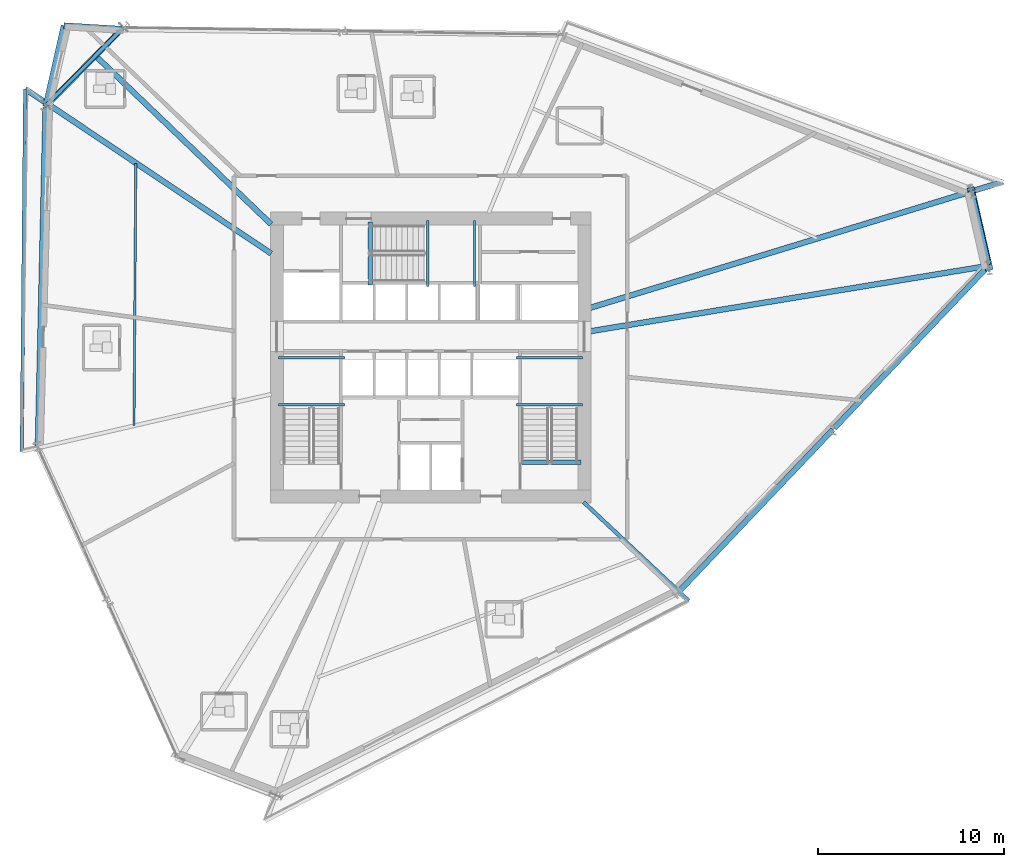
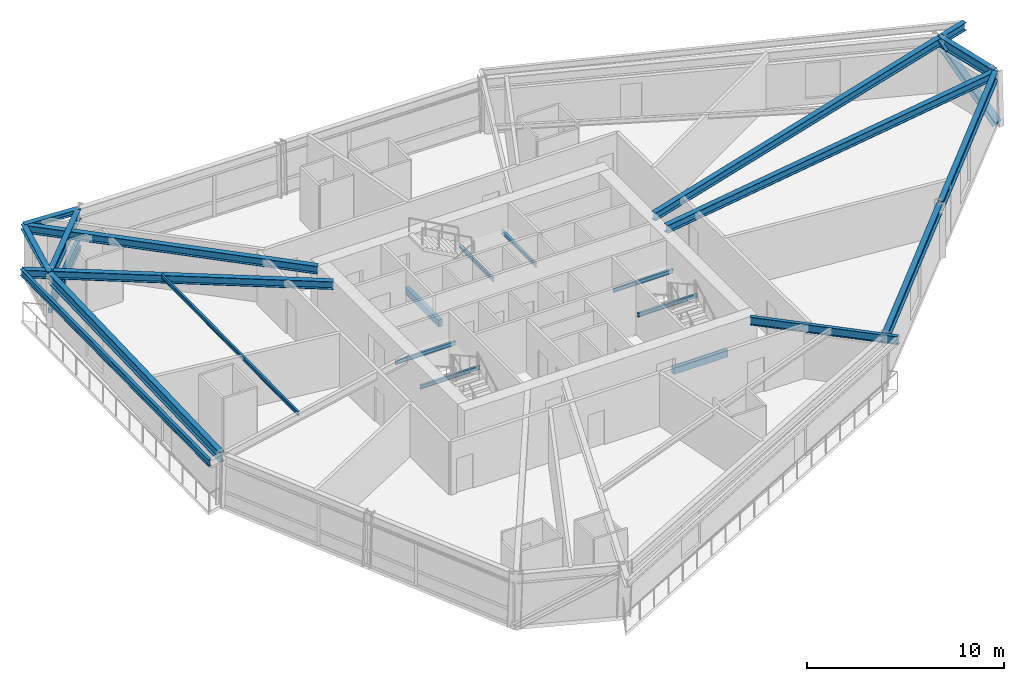
# One storey, part 5 of 22: 22 beams, 3 members.
"""IFC4 building model written with IfcOpenShell, lengths in metres."""

from ifc_helpers import new_model, si_unit, direction, frame, origin, origin_2d, place, context, subcontext, project, spatial, rectangle, hollow_rectangle, i_section, extrude, source, transform, mapped, material, material_profile, profile_set, type_object, element, save


model = new_model("IFC4")

# Units and contexts
model_context = context("Model", 3, precision=1e-05, world=origin(), true_north=direction((0.0, 1.0)))
body_context = subcontext(model_context, "Body", "Model", "MODEL_VIEW")
ifc_project = project(units=[si_unit("LENGTHUNIT", "METRE"), si_unit("AREAUNIT", "SQUARE_METRE"), si_unit("VOLUMEUNIT", "CUBIC_METRE"), si_unit("PLANEANGLEUNIT", "RADIAN"), si_unit("MASSUNIT", "GRAM", prefix="KILO")], contexts=[model_context])

# Site, building, storey
site_placement = place(None, origin())
site = spatial("IfcSite", under=ifc_project, at=site_placement, CompositionType="ELEMENT")
building_placement = place(site_placement, origin())
building = spatial("IfcBuilding", under=site, at=building_placement, Name="Olszyna Solenne Hotel", CompositionType="ELEMENT")
storey_placement = place(building_placement, frame((0.0, 0.0, 87.949951171875)))
storey = spatial("IfcBuildingStorey", under=building, at=storey_placement, Name="L22", CompositionType="ELEMENT", Elevation=87.949951171875)

# Beams
ifc_material_1 = material(Name="Steel S355J2", Category="steel")
ifc_material_profile_1 = material_profile(ifc_material_1, i_section(OverallWidth=0.300048828125, OverallDepth=0.60009765625, WebThickness=0.015380859375, FlangeThickness=0.030029296875, at=origin_2d()), Name="HEB 600", Category="load-bearing")
ifc_profile_set_1 = profile_set([ifc_material_profile_1], Name="Steel S355J2")
beam_type_1 = type_object("IfcBeamType", Name="BM-S2", PredefinedType="BEAM", material=ifc_profile_set_1)
shared_shape_1 = source(origin(), body_context, "Body", "SweptSolid", [
    extrude(i_section(OverallWidth=0.300048828125, OverallDepth=0.60009765625, WebThickness=0.015380859375, FlangeThickness=0.030029296875, at=origin_2d()), origin(), (0.0, 0.0, 1.0), 4.090087890625),
])
beam_1_placement = place(storey_placement, frame((67.927734375, 31.580810546875, 3.0), z_axis=(-0.224968488331, 0.974366039668, 0.0), x_axis=(-0.974366039668, -0.224968488331, 0.0)))
element("IfcBeam", 1, at=beam_1_placement, inside=storey, type_object=beam_type_1, Name="Perimeter spandrel beam BM-S2 B-L22-0662", PredefinedType="BEAM", context=body_context, shape_type="MappedRepresentation", body=[
    mapped(shared_shape_1, transform((0.0, 0.0, 0.0), x_axis=(1.0, 0.0, 0.0), y_axis=(0.0, 1.0, 0.0), z_axis=(0.0, 0.0, 1.0), scale=1.0)),
])
shared_shape_2 = source(origin(), body_context, "Body", "SweptSolid", [
    extrude(i_section(OverallWidth=0.300048828125, OverallDepth=0.60009765625, WebThickness=0.015380859375, FlangeThickness=0.030029296875, at=origin_2d()), origin(), (0.0, 0.0, 1.0), 11.955322265625),
])
for number, where, z_axis, x_axis, name in (
    (2, (51.345703125, 14.059814453125, 3.0), (0.688886842783, 0.724868897001, 0.0), (-0.724868897001, 0.688886842783, 0.0), "Perimeter spandrel beam BM-S2 B-L22-0672"),
    (3, (59.6640625, 22.81298828125, 3.0), (0.688886842783, 0.724868897001, 0.0), (-0.724868897001, 0.688886842783, 0.0), "Perimeter spandrel beam BM-S2 B-L22-0673"),
):
    element("IfcBeam", number, at=place(storey_placement, frame(where, z_axis=z_axis, x_axis=x_axis)), inside=storey, type_object=beam_type_1, Name=name, PredefinedType="BEAM", context=body_context, shape_type="MappedRepresentation", body=[
        mapped(shared_shape_2, transform((0.0, 0.0, 0.0), x_axis=(1.0, 0.0, 0.0), y_axis=(0.0, 1.0, 0.0), z_axis=(0.0, 0.0, 1.0), scale=1.0)),
    ])
ifc_material_profile_2 = material_profile(ifc_material_1, i_section(OverallWidth=0.300048828125, OverallDepth=0.31005859375, WebThickness=0.009033203125, FlangeThickness=0.015380859375, at=origin_2d()), Name="HEA 320", Category="load-bearing")
ifc_profile_set_2 = profile_set([ifc_material_profile_2], Name="Steel S355J2")
beam_type_2 = type_object("IfcBeamType", Name="BM-G3", PredefinedType="BEAM", material=ifc_profile_set_2)
shared_shape_3 = source(origin(), body_context, "Body", "SweptSolid", [
    extrude(i_section(OverallWidth=0.300048828125, OverallDepth=0.31005859375, WebThickness=0.009033203125, FlangeThickness=0.015380859375, at=origin_2d()), origin(), (0.0, 0.0, 1.0), 3.119384765625),
])
beam_2_placement = place(storey_placement, frame((21.430419921875, 44.23095703125, 3.14501953125), z_axis=(-0.99821064292, 0.059795588144, 0.0), x_axis=(-0.059795588144, -0.99821064292, 0.0)))
element("IfcBeam", 4, at=beam_2_placement, inside=storey, type_object=beam_type_2, Name="Prism side edge beam BM-G3 B-L22-0683", PredefinedType="BEAM", context=body_context, shape_type="MappedRepresentation", body=[
    mapped(shared_shape_3, transform((0.0, 0.0, 0.0), x_axis=(1.0, 0.0, 0.0), y_axis=(0.0, 1.0, 0.0), z_axis=(0.0, 0.0, 1.0), scale=1.0)),
])
ifc_material_profile_3 = material_profile(ifc_material_1, i_section(OverallWidth=0.179931640625, OverallDepth=0.39990234375, WebThickness=0.008544921875, FlangeThickness=0.013427734375, at=origin_2d()), Name="IPE 400", Category="load-bearing")
ifc_profile_set_3 = profile_set([ifc_material_profile_3], Name="Steel S355J2")
beam_type_3 = type_object("IfcBeamType", Name="BM-F5", PredefinedType="BEAM", material=ifc_profile_set_3)
shared_shape_4 = source(origin(), body_context, "Body", "SweptSolid", [
    extrude(i_section(OverallWidth=0.179931640625, OverallDepth=0.39990234375, WebThickness=0.008544921875, FlangeThickness=0.013427734375, at=origin_2d()), origin(), (0.0, 0.0, 1.0), 19.4716796875),
])
beam_3_placement = place(storey_placement, frame((16.234619140625, 41.01708984375, 3.10009765625), z_axis=(-0.009328396778, -0.99995648956, 0.0), x_axis=(0.99995648956, -0.009328396778, 0.0)))
element("IfcBeam", 5, at=beam_3_placement, inside=storey, type_object=beam_type_3, Name="Loggia outer edge beam BM-F5 B-L22-0689", PredefinedType="BEAM", context=body_context, shape_type="MappedRepresentation", body=[
    mapped(shared_shape_4, transform((0.0, 0.0, 0.0), x_axis=(1.0, 0.0, 0.0), y_axis=(0.0, 1.0, 0.0), z_axis=(0.0, 0.0, 1.0), scale=1.0)),
])
shared_shape_5 = source(origin(), body_context, "Body", "SweptSolid", [
    extrude(i_section(OverallWidth=0.300048828125, OverallDepth=0.60009765625, WebThickness=0.015380859375, FlangeThickness=0.030029296875, at=origin_2d()), origin(), (0.0, 0.0, 1.0), 5.71484375),
])
beam_4_placement = place(storey_placement, frame((21.388427734375, 44.188232421875, 3.0), z_axis=(-0.701509806303, -0.712659800789, 0.0), x_axis=(0.712659800789, -0.701509806303, 0.0)))
element("IfcBeam", 6, at=beam_4_placement, inside=storey, type_object=beam_type_1, Name="Perimeter spandrel beam BM-S2 B-L22-0666", PredefinedType="BEAM", context=body_context, shape_type="MappedRepresentation", body=[
    mapped(shared_shape_5, transform((0.0, 0.0, 0.0), x_axis=(1.0, 0.0, 0.0), y_axis=(0.0, 1.0, 0.0), z_axis=(0.0, 0.0, 1.0), scale=1.0)),
])
shared_shape_6 = source(origin(), body_context, "Body", "SweptSolid", [
    extrude(i_section(OverallWidth=0.300048828125, OverallDepth=0.60009765625, WebThickness=0.015380859375, FlangeThickness=0.030029296875, at=origin_2d()), origin(), (0.0, 0.0, 1.0), 18.206787109375),
])
beam_5_placement = place(storey_placement, frame((17.335693359375, 40.0126953125, 3.0), z_axis=(-0.022768922704, -0.999740754475, 0.0), x_axis=(0.999740754475, -0.022768922704, 0.0)))
element("IfcBeam", 7, at=beam_5_placement, inside=storey, type_object=beam_type_1, Name="Perimeter spandrel beam BM-S2 B-L22-0667", PredefinedType="BEAM", context=body_context, shape_type="MappedRepresentation", body=[
    mapped(shared_shape_6, transform((0.0, 0.0, 0.0), x_axis=(1.0, 0.0, 0.0), y_axis=(0.0, 1.0, 0.0), z_axis=(0.0, 0.0, 1.0), scale=1.0)),
])
ifc_material_profile_4 = material_profile(ifc_material_1, i_section(OverallWidth=0.300048828125, OverallDepth=0.489990234375, WebThickness=0.011962890625, FlangeThickness=0.02294921875, at=origin_2d()), Name="HEA 500", Category="load-bearing")
ifc_profile_set_4 = profile_set([ifc_material_profile_4], Name="Steel S355J2")
beam_type_4 = type_object("IfcBeamType", Name="BM-G1", PredefinedType="BEAM", material=ifc_profile_set_4)
shared_shape_7 = source(origin(), body_context, "Body", "SweptSolid", [
    extrude(i_section(OverallWidth=0.300048828125, OverallDepth=0.489990234375, WebThickness=0.011962890625, FlangeThickness=0.02294921875, at=origin_2d()), origin(), (0.0, 0.0, 1.0), 21.61767578125),
])
beam_6_placement = place(storey_placement, frame((67.882080078125, 31.5126953125, 3.054931640625), z_axis=(-0.986752633364, -0.16223205771, 0.0), x_axis=(0.16223205771, -0.986752633364, 0.0)))
element("IfcBeam", 8, at=beam_6_placement, inside=storey, type_object=beam_type_4, Name="Radial floor girder BM-G1 B-L22-0674", PredefinedType="BEAM", context=body_context, shape_type="MappedRepresentation", body=[
    mapped(shared_shape_7, transform((0.0, 0.0, 0.0), x_axis=(1.0, 0.0, 0.0), y_axis=(0.0, 1.0, 0.0), z_axis=(0.0, 0.0, 1.0), scale=1.0)),
])
shared_shape_8 = source(origin(), body_context, "Body", "SweptSolid", [
    extrude(i_section(OverallWidth=0.300048828125, OverallDepth=0.489990234375, WebThickness=0.011962890625, FlangeThickness=0.02294921875, at=origin_2d()), origin(), (0.0, 0.0, 1.0), 23.166259765625),
])
beam_7_placement = place(storey_placement, frame((68.70849609375, 36.027587890625, 3.054931640625), z_axis=(-0.956403914291, -0.29204717552, 0.0), x_axis=(0.29204717552, -0.956403914291, 0.0)))
element("IfcBeam", 9, at=beam_7_placement, inside=storey, type_object=beam_type_4, Name="Radial floor girder BM-G1 B-L22-0675", PredefinedType="BEAM", context=body_context, shape_type="MappedRepresentation", body=[
    mapped(shared_shape_8, transform((0.0, 0.0, 0.0), x_axis=(1.0, 0.0, 0.0), y_axis=(0.0, 1.0, 0.0), z_axis=(0.0, 0.0, 1.0), scale=1.0)),
])
shared_shape_9 = source(origin(), body_context, "Body", "SweptSolid", [
    extrude(i_section(OverallWidth=0.300048828125, OverallDepth=0.489990234375, WebThickness=0.011962890625, FlangeThickness=0.02294921875, at=origin_2d()), origin(), (0.0, 0.0, 1.0), 15.389404296875),
])
beam_8_placement = place(storey_placement, frame((18.3310546875, 44.40380859375, 3.054931640625), z_axis=(0.721760984059, -0.692142385561, 0.0), x_axis=(0.692142385561, 0.721760984059, 0.0)))
element("IfcBeam", 10, at=beam_8_placement, inside=storey, type_object=beam_type_4, Name="Radial floor girder BM-G1 B-L22-0677", PredefinedType="BEAM", context=body_context, shape_type="MappedRepresentation", body=[
    mapped(shared_shape_9, transform((0.0, 0.0, 0.0), x_axis=(1.0, 0.0, 0.0), y_axis=(0.0, 1.0, 0.0), z_axis=(0.0, 0.0, 1.0), scale=1.0)),
])
shared_shape_10 = source(origin(), body_context, "Body", "SweptSolid", [
    extrude(i_section(OverallWidth=0.300048828125, OverallDepth=0.489990234375, WebThickness=0.011962890625, FlangeThickness=0.02294921875, at=origin_2d()), origin(), (0.0, 0.0, 1.0), 15.87109375),
])
beam_9_placement = place(storey_placement, frame((16.251220703125, 41.006103515625, 3.054931640625), z_axis=(0.831114315261, -0.556101604897, 0.0), x_axis=(0.556101604897, 0.831114315261, 0.0)))
element("IfcBeam", 11, at=beam_9_placement, inside=storey, type_object=beam_type_4, Name="Radial floor girder BM-G1 B-L22-0678", PredefinedType="BEAM", context=body_context, shape_type="MappedRepresentation", body=[
    mapped(shared_shape_10, transform((0.0, 0.0, 0.0), x_axis=(1.0, 0.0, 0.0), y_axis=(0.0, 1.0, 0.0), z_axis=(0.0, 0.0, 1.0), scale=1.0)),
])
ifc_material_profile_5 = material_profile(ifc_material_1, i_section(OverallWidth=0.199951171875, OverallDepth=0.5, WebThickness=0.01025390625, FlangeThickness=0.01611328125, at=origin_2d()), Name="IPE 500", Category="load-bearing")
ifc_profile_set_5 = profile_set([ifc_material_profile_5], Name="Steel S355J2")
beam_type_5 = type_object("IfcBeamType", Name="BM-F3", PredefinedType="BEAM", material=ifc_profile_set_5)
shared_shape_11 = source(origin(), body_context, "Body", "SweptSolid", [
    extrude(i_section(OverallWidth=0.199951171875, OverallDepth=0.5, WebThickness=0.01025390625, FlangeThickness=0.01611328125, at=origin_2d()), origin(), (0.0, 0.0, 1.0), 7.716552734375),
])
beam_10_placement = place(storey_placement, frame((51.841064453125, 13.557861328125, 3.050048828125), z_axis=(-0.729672359436, 0.683796934678, 0.0), x_axis=(-0.683796934678, -0.729672359436, 0.0)))
element("IfcBeam", 12, at=beam_10_placement, inside=storey, type_object=beam_type_5, Name="Radial floor girder BM-F3 B-L22-0682", PredefinedType="BEAM", context=body_context, shape_type="MappedRepresentation", body=[
    mapped(shared_shape_11, transform((0.0, 0.0, 0.0), x_axis=(1.0, 0.0, 0.0), y_axis=(0.0, 1.0, 0.0), z_axis=(0.0, 0.0, 1.0), scale=1.0)),
])
shared_shape_12 = source(origin(), body_context, "Body", "SweptSolid", [
    extrude(i_section(OverallWidth=0.300048828125, OverallDepth=0.31005859375, WebThickness=0.009033203125, FlangeThickness=0.015380859375, at=origin_2d()), origin(), (0.0, 0.0, 1.0), 4.4541015625),
])
beam_11_placement = place(storey_placement, frame((17.337158203125, 40.072509765625, 3.14501953125), z_axis=(0.219912600396, 0.975519578577, 0.0), x_axis=(-0.975519578577, 0.219912600396, 0.0)))
element("IfcBeam", 13, at=beam_11_placement, inside=storey, type_object=beam_type_2, Name="Prism side edge beam BM-G3 B-L22-0684", PredefinedType="BEAM", context=body_context, shape_type="MappedRepresentation", body=[
    mapped(shared_shape_12, transform((0.0, 0.0, 0.0), x_axis=(1.0, 0.0, 0.0), y_axis=(0.0, 1.0, 0.0), z_axis=(0.0, 0.0, 1.0), scale=1.0)),
])
ifc_material_profile_6 = material_profile(ifc_material_1, i_section(OverallWidth=0.1201171875, OverallDepth=0.239990234375, WebThickness=0.006103515625, FlangeThickness=0.009765625, at=origin_2d()), Name="IPE 240", Category="load-bearing")
ifc_profile_set_6 = profile_set([ifc_material_profile_6], Name="Steel S355J2")
beam_type_6 = type_object("IfcBeamType", Name="JS-03", PredefinedType="JOIST", material=ifc_profile_set_6)
shared_shape_13 = source(origin(), body_context, "Body", "SweptSolid", [
    extrude(i_section(OverallWidth=0.1201171875, OverallDepth=0.239990234375, WebThickness=0.006103515625, FlangeThickness=0.009765625, at=origin_2d()), origin(), (0.0, 0.0, 1.0), 14.065673828125),
])
beam_12_placement = place(storey_placement, frame((22.177734375, 37.0205078125, 3.179931640625), z_axis=(-0.00685604937, -0.999976497017, 0.0), x_axis=(0.999976497017, -0.00685604937, 0.0)))
element("IfcBeam", 14, at=beam_12_placement, inside=storey, type_object=beam_type_6, Name="Secondary composite floor joist JS-03 B-L22-0686", PredefinedType="JOIST", context=body_context, shape_type="MappedRepresentation", body=[
    mapped(shared_shape_13, transform((0.0, 0.0, 0.0), x_axis=(1.0, 0.0, 0.0), y_axis=(0.0, 1.0, 0.0), z_axis=(0.0, 0.0, 1.0), scale=1.0)),
])

# Members
ifc_material_profile_7 = material_profile(ifc_material_1, hollow_rectangle(XDim=0.199951171875, YDim=0.300048828125, WallThickness=0.01611328125, at=origin_2d()), Name="RHS 300x200x16", Category="load-bearing")
ifc_profile_set_7 = profile_set([ifc_material_profile_7], Name="Steel S355J2")
member_type_1 = type_object("IfcMemberType", Name="CH-PR1", PredefinedType="CHORD", material=ifc_profile_set_7)
shared_shape_14 = source(origin(), body_context, "Body", "SweptSolid", [
    extrude(hollow_rectangle(XDim=0.199951171875, YDim=0.300048828125, WallThickness=0.01611328125, at=origin_2d()), origin(), (0.0, 0.0, 1.0), 5.8349609375),
])
for number, where, z_axis, x_axis, name in (
    (15, (21.507568359375, 44.30322265625, 1.35009765625), (-0.704591902374, -0.709612747284, 0.0), (0.709612747284, -0.704591902374, 0.0), "Glass-prism tie chord CH-PR1 M-L22-PR1"),
    (16, (21.507568359375, 44.30322265625, 0.780029296875), (-0.704591902374, -0.709612747284, 0.0), (0.709612747284, -0.704591902374, 0.0), "Glass-prism tie chord CH-PR1 M-L22-PR2"),
):
    element("IfcMember", number, at=place(storey_placement, frame(where, z_axis=z_axis, x_axis=x_axis)), inside=storey, type_object=member_type_1, Name=name, PredefinedType="CHORD", context=body_context, shape_type="MappedRepresentation", body=[
        mapped(shared_shape_14, transform((0.0, 0.0, 0.0), x_axis=(1.0, 0.0, 0.0), y_axis=(0.0, 1.0, 0.0), z_axis=(0.0, 0.0, 1.0), scale=1.0)),
    ])
ifc_material_2 = material(Name="Steel S460M", Category="steel")
ifc_material_profile_8 = material_profile(ifc_material_2, i_section(OverallWidth=0.406005859375, OverallDepth=0.416015625, WebThickness=0.026611328125, FlangeThickness=0.04150390625, at=origin_2d()), Name="HD 400x382", Category="load-bearing")
ifc_profile_set_8 = profile_set([ifc_material_profile_8], Name="Steel S460M")
member_type_2 = type_object("IfcMemberType", Name="BR-T2", PredefinedType="BRACE", material=ifc_profile_set_8)
shared_shape_15 = source(origin(), body_context, "Body", "SweptSolid", [
    extrude(i_section(OverallWidth=0.406005859375, OverallDepth=0.416015625, WebThickness=0.026611328125, FlangeThickness=0.04150390625, at=origin_2d()), origin(), (0.0, 0.0, 1.0), 5.255126953125),
])
member_placement = place(storey_placement, frame((67.96240234375, 31.3916015625, 0.010009765625), z_axis=(-0.184250642221, 0.805480997184, 0.563251332902), x_axis=(-0.974821504443, -0.222986623983, 0.0)))
element("IfcMember", 17, at=member_placement, inside=storey, type_object=member_type_2, Name="Perimeter braced-tube diagonal BR-T2 BR-L22-1", PredefinedType="BRACE", context=body_context, shape_type="MappedRepresentation", body=[
    mapped(shared_shape_15, transform((0.0, 0.0, 0.0), x_axis=(1.0, 0.0, 0.0), y_axis=(0.0, 1.0, 0.0), z_axis=(0.0, 0.0, 1.0), scale=1.0)),
])

# Beams
shared_shape_16 = source(origin(), body_context, "Body", "SweptSolid", [
    extrude(i_section(OverallWidth=0.1201171875, OverallDepth=0.239990234375, WebThickness=0.006103515625, FlangeThickness=0.009765625, at=origin_2d()), origin(), (0.0, 0.0, 1.0), 3.539794921875),
])
for number, where, z_axis, x_axis, name in (
    (18, (33.3798828125, 24.070068359375, 1.449951171875), (-1.0, 0.0, 0.0), (0.0, -1.0, 0.0), "Stair landing support beam JS-03 SLB-ST1-0049"),
    (19, (33.3798828125, 26.580078125, 1.449951171875), (-1.0, 0.0, 0.0), (0.0, -1.0, 0.0), "Stair landing support beam JS-03 SLB-ST1-0050"),
    (20, (46.159912109375, 24.070068359375, 1.449951171875), (-1.0, 0.0, 0.0), (0.0, -1.0, 0.0), "Stair landing support beam JS-03 SLB-ST2-0289"),
    (21, (46.159912109375, 26.580078125, 1.449951171875), (-1.0, 0.0, 0.0), (0.0, -1.0, 0.0), "Stair landing support beam JS-03 SLB-ST2-0290"),
):
    element("IfcBeam", number, at=place(storey_placement, frame(where, z_axis=z_axis, x_axis=x_axis)), inside=storey, type_object=beam_type_6, Name=name, PredefinedType="JOIST", context=body_context, shape_type="MappedRepresentation", body=[
        mapped(shared_shape_16, transform((0.0, 0.0, 0.0), x_axis=(1.0, 0.0, 0.0), y_axis=(0.0, 1.0, 0.0), z_axis=(0.0, 0.0, 1.0), scale=1.0)),
    ])
ifc_material_3 = material(Name="Concrete C50/60", Category="concrete")
ifc_material_profile_9 = material_profile(ifc_material_3, rectangle(XDim=0.219970703125, YDim=0.43994140625, at=origin_2d()), Name="RC 220x440", Category="load-bearing")
ifc_profile_set_9 = profile_set([ifc_material_profile_9], Name="Concrete C50/60")
beam_type_7 = type_object("IfcBeamType", Name="BM-ST1", PredefinedType="BEAM", material=ifc_profile_set_9)
shared_shape_17 = source(origin(), body_context, "Body", "SweptSolid", [
    extrude(rectangle(XDim=0.219970703125, YDim=0.43994140625, at=origin_2d()), origin(), (0.0, 0.0, 1.0), 3.18017578125),
])
beam_13_placement = place(storey_placement, frame((46.080078125, 20.97998046875, -0.204833984375), z_axis=(-1.0, 0.0, 0.0), x_axis=(0.0, -1.0, 0.0)))
element("IfcBeam", 22, at=beam_13_placement, inside=storey, type_object=beam_type_7, Name="Concrete stair trimmer beam BM-ST1 SHB-ST2-0424", PredefinedType="BEAM", context=body_context, shape_type="MappedRepresentation", body=[
    mapped(shared_shape_17, transform((0.0, 0.0, 0.0), x_axis=(1.0, 0.0, 0.0), y_axis=(0.0, 1.0, 0.0), z_axis=(0.0, 0.0, 1.0), scale=1.0)),
])
shared_shape_18 = source(origin(), body_context, "Body", "SweptSolid", [
    extrude(i_section(OverallWidth=0.1201171875, OverallDepth=0.239990234375, WebThickness=0.006103515625, FlangeThickness=0.009765625, at=origin_2d()), origin(), (0.0, 0.0, 1.0), 3.5400390625),
])
for number, where, z_axis, x_axis, name in (
    (23, (37.85009765625, 30.419921875, 1.449951171875), (0.0, 1.0, 0.0), (-1.0, 0.0, 0.0), "Stair landing support beam JS-03 SLB-ST3-0529"),
    (24, (40.360107421875, 30.419921875, 1.449951171875), (0.0, 1.0, 0.0), (-1.0, 0.0, 0.0), "Stair landing support beam JS-03 SLB-ST3-0530"),
):
    element("IfcBeam", number, at=place(storey_placement, frame(where, z_axis=z_axis, x_axis=x_axis)), inside=storey, type_object=beam_type_6, Name=name, PredefinedType="JOIST", context=body_context, shape_type="MappedRepresentation", body=[
        mapped(shared_shape_18, transform((0.0, 0.0, 0.0), x_axis=(1.0, 0.0, 0.0), y_axis=(0.0, 1.0, 0.0), z_axis=(0.0, 0.0, 1.0), scale=1.0)),
    ])
shared_shape_19 = source(origin(), body_context, "Body", "SweptSolid", [
    extrude(rectangle(XDim=0.219970703125, YDim=0.43994140625, at=origin_2d()), origin(), (0.0, 0.0, 1.0), 3.3798828125),
])
beam_14_placement = place(storey_placement, frame((34.760009765625, 30.5, -0.204833984375), z_axis=(0.0, 1.0, 0.0), x_axis=(-1.0, 0.0, 0.0)))
element("IfcBeam", 25, at=beam_14_placement, inside=storey, type_object=beam_type_7, Name="Concrete stair trimmer beam BM-ST1 SHB-ST3-0662", PredefinedType="BEAM", context=body_context, shape_type="MappedRepresentation", body=[
    mapped(shared_shape_19, transform((0.0, 0.0, 0.0), x_axis=(1.0, 0.0, 0.0), y_axis=(0.0, 1.0, 0.0), z_axis=(0.0, 0.0, 1.0), scale=1.0)),
])

save(model, "model.ifc")
